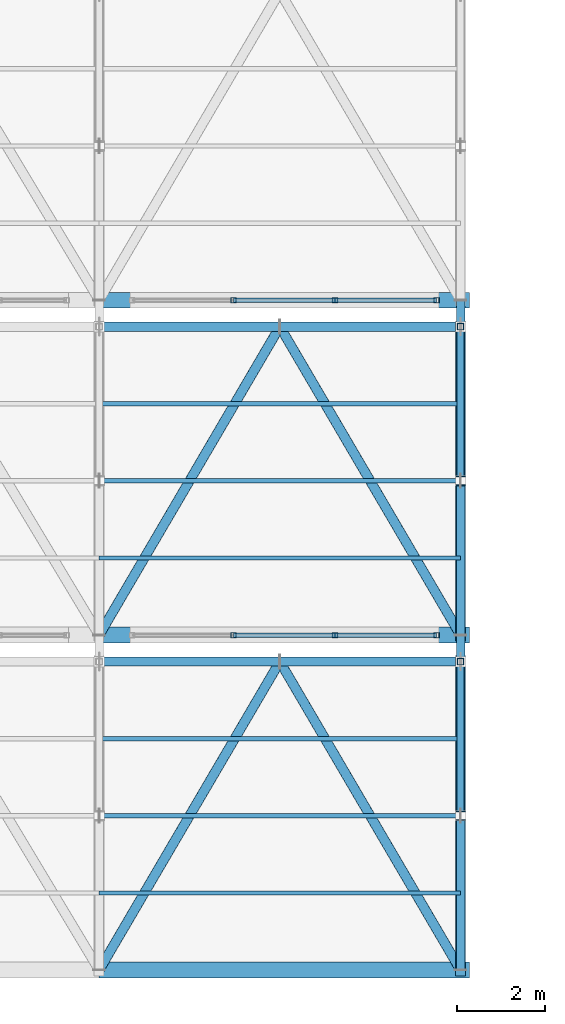
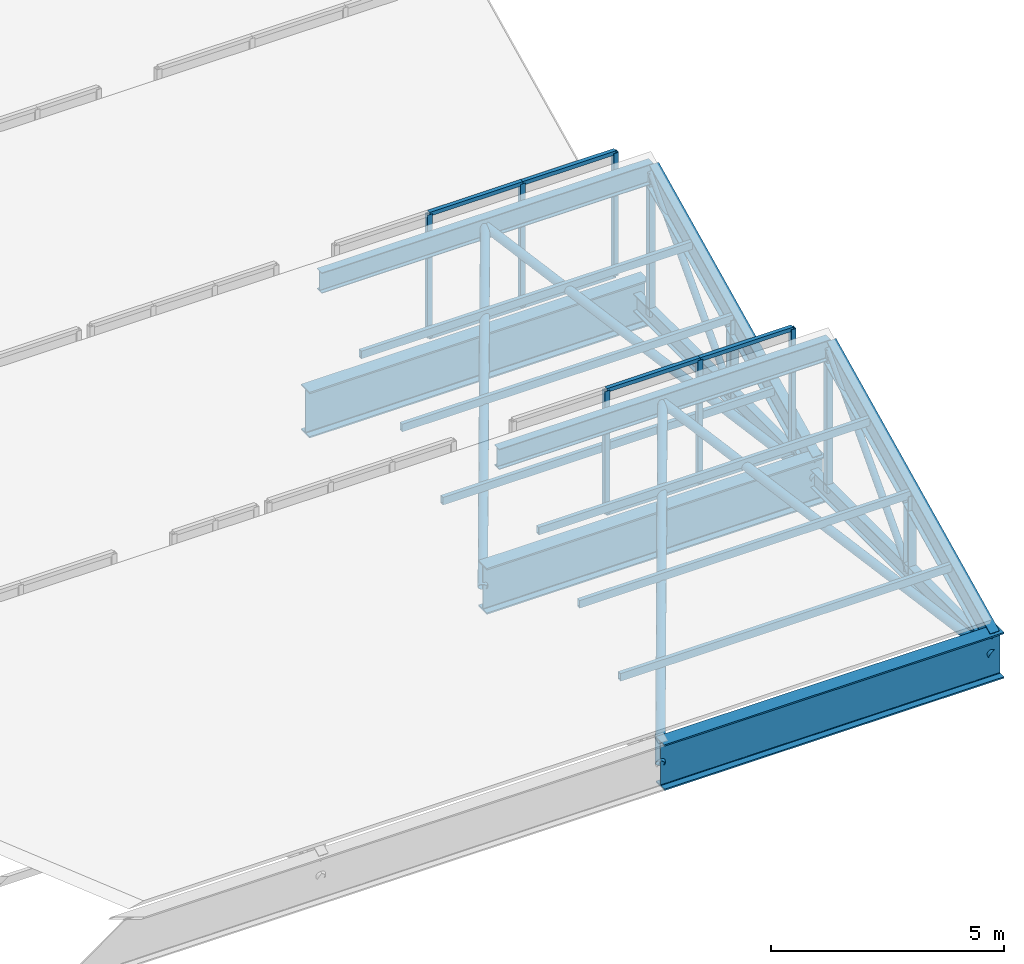
# One storey, part 27 of 57: 36 members, 3 beams, 2 elements without a shape of their own.
"""IFC4 building model written with IfcOpenShell, lengths in metres."""

from ifc_helpers import new_model, si_unit, direction, frame, origin, origin_2d, place, context, subcontext, project, spatial, hollow_rectangle, hollow_circle, i_section, extrude, material, material_profile, profile_set, type_object, element, aggregate, save


model = new_model("IFC4")

# Units and contexts
model_context = context("Model", 3, precision=1e-05, world=origin(), true_north=direction((0.0, 1.0)))
body_context = subcontext(model_context, "Body", "Model", "MODEL_VIEW")
ifc_project = project(units=[si_unit("LENGTHUNIT", "METRE"), si_unit("AREAUNIT", "SQUARE_METRE"), si_unit("VOLUMEUNIT", "CUBIC_METRE"), si_unit("PLANEANGLEUNIT", "RADIAN"), si_unit("MASSUNIT", "GRAM", prefix="KILO")], contexts=[model_context])

# Site, building, storey
site_placement = place(None, origin())
site = spatial("IfcSite", under=ifc_project, at=site_placement, CompositionType="ELEMENT")
building_placement = place(site_placement, origin())
building = spatial("IfcBuilding", under=site, at=building_placement, Name="Zuvorla Pavilion Media Centre", CompositionType="ELEMENT")
storey_placement = place(building_placement, frame((0.0, 0.0, 18.0)))
storey = spatial("IfcBuildingStorey", under=building, at=storey_placement, Name="L04", CompositionType="ELEMENT", Elevation=18.0)

# Beams
ifc_material_1 = material(Name="Steel S355", Category="steel")
ifc_material_profile_1 = material_profile(ifc_material_1, i_section(OverallWidth=0.360107421875, OverallDepth=1.199951171875, WebThickness=0.02001953125, FlangeThickness=0.0380859375, FilletRadius=0.02392578125, at=origin_2d()), Name="PG 1200x360x38")
ifc_profile_set_1 = profile_set([ifc_material_profile_1], Name="Steel S355")
beam_type = type_object("IfcBeamType", Name="BM-PG1200", PredefinedType="BEAM", material=ifc_profile_set_1)
for number, where, z_axis, x_axis, name in (
    (1, (150.800048828125, 6.0, -0.887939453125), (1.0, 0.0, 0.0), (0.0, 1.0, 0.0), "L04 beam B01 1816"),
    (2, (150.800048828125, 13.60009765625, -0.887939453125), (1.0, 0.0, 0.0), (0.0, 1.0, 0.0), "L04 beam B01 1819"),
    (3, (150.800048828125, 21.199951171875, -0.887939453125), (1.0, 0.0, 0.0), (0.0, 1.0, 0.0), "L04 beam B01 1822"),
):
    element("IfcBeam", number, at=place(storey_placement, frame(where, z_axis=z_axis, x_axis=x_axis)), inside=storey, type_object=beam_type, Name=name, PredefinedType="BEAM", context=body_context, shape_type="SweptSolid", body=[
        extrude(i_section(OverallWidth=0.360107421875, OverallDepth=1.199951171875, WebThickness=0.02001953125, FlangeThickness=0.0380859375, FilletRadius=0.02392578125, at=origin_2d()), origin(), (0.0, 0.0, 1.0), 8.39990234375),
    ])

# Curtain wall, members
ifc_material_2 = material(Name="Unitised anodised aluminium and solar glass curtain wall", Category="aluminium")
curtain_wall_type = type_object("IfcCurtainWallType", Name="CW-SYS-92", PredefinedType="USERDEFINED", material=ifc_material_2)
curtain_wall_1_placement = place(storey_placement, origin())
curtain_wall_1 = element("IfcCurtainWall", 4, at=curtain_wall_1_placement, inside=storey, type_object=curtain_wall_type, Name="L04 curtain wall CW92 229", ObjectType="CURTAIN WALL", PredefinedType="USERDEFINED")
ifc_material_3 = material(Name="Anodised aluminium 6063-T6", Category="aluminium")
ifc_material_profile_2 = material_profile(ifc_material_3, hollow_rectangle(XDim=0.1201171875, YDim=0.1201171875, WallThickness=0.0048828125, at=origin_2d()), Name="ALU MULL 120x120")
ifc_profile_set_2 = profile_set([ifc_material_profile_2], Name="Anodised aluminium 6063-T6")
member_type_1 = type_object("IfcMemberType", Name="CW-MULL-120", PredefinedType="MULLION", material=ifc_profile_set_2)
member_1_placement = place(storey_placement, frame((153.84814453125, 13.60009765625, 0.0), z_axis=(0.0, 0.0, 1.0), x_axis=(1.0, 0.0, 0.0)))
member_1 = element("IfcMember", 5, at=member_1_placement, type_object=member_type_1, Name="CW92 mullion 2", PredefinedType="MULLION", context=body_context, shape_type="SweptSolid", body=[
    extrude(hollow_rectangle(XDim=0.1201171875, YDim=0.1201171875, WallThickness=0.0048828125, at=origin_2d()), origin(), (0.0, 0.0, 1.0), 3.219970703125),
])
member_2_placement = place(storey_placement, frame((156.15185546875, 13.60009765625, 0.0), z_axis=(0.0, 0.0, 1.0), x_axis=(1.0, 0.0, 0.0)))
member_2 = element("IfcMember", 6, at=member_2_placement, type_object=member_type_1, Name="CW92 mullion 3", PredefinedType="MULLION", context=body_context, shape_type="SweptSolid", body=[
    extrude(hollow_rectangle(XDim=0.1201171875, YDim=0.1201171875, WallThickness=0.0048828125, at=origin_2d()), origin(), (0.0, 0.0, 1.0), 3.219970703125),
])
member_3_placement = place(storey_placement, frame((158.455810546875, 13.60009765625, 0.0), z_axis=(0.0, 0.0, 1.0), x_axis=(1.0, 0.0, 0.0)))
member_3 = element("IfcMember", 7, at=member_3_placement, type_object=member_type_1, Name="CW92 mullion 4", PredefinedType="MULLION", context=body_context, shape_type="SweptSolid", body=[
    extrude(hollow_rectangle(XDim=0.1201171875, YDim=0.1201171875, WallThickness=0.0048828125, at=origin_2d()), origin(), (0.0, 0.0, 1.0), 3.219970703125),
])

curtain_wall_2_placement = place(storey_placement, origin())
curtain_wall_2 = element("IfcCurtainWall", 8, at=curtain_wall_2_placement, inside=storey, type_object=curtain_wall_type, Name="L04 curtain wall CW92 234", ObjectType="CURTAIN WALL", PredefinedType="USERDEFINED")
member_4_placement = place(storey_placement, frame((153.84814453125, 21.199951171875, 0.0), z_axis=(0.0, 0.0, 1.0), x_axis=(1.0, 0.0, 0.0)))
member_4 = element("IfcMember", 9, at=member_4_placement, type_object=member_type_1, Name="CW92 mullion 2", PredefinedType="MULLION", context=body_context, shape_type="SweptSolid", body=[
    extrude(hollow_rectangle(XDim=0.1201171875, YDim=0.1201171875, WallThickness=0.0048828125, at=origin_2d()), origin(), (0.0, 0.0, 1.0), 3.219970703125),
])
member_5_placement = place(storey_placement, frame((156.15185546875, 21.199951171875, 0.0), z_axis=(0.0, 0.0, 1.0), x_axis=(1.0, 0.0, 0.0)))
member_5 = element("IfcMember", 10, at=member_5_placement, type_object=member_type_1, Name="CW92 mullion 3", PredefinedType="MULLION", context=body_context, shape_type="SweptSolid", body=[
    extrude(hollow_rectangle(XDim=0.1201171875, YDim=0.1201171875, WallThickness=0.0048828125, at=origin_2d()), origin(), (0.0, 0.0, 1.0), 3.219970703125),
])
member_6_placement = place(storey_placement, frame((158.455810546875, 21.199951171875, 0.0), z_axis=(0.0, 0.0, 1.0), x_axis=(1.0, 0.0, 0.0)))
member_6 = element("IfcMember", 11, at=member_6_placement, type_object=member_type_1, Name="CW92 mullion 4", PredefinedType="MULLION", context=body_context, shape_type="SweptSolid", body=[
    extrude(hollow_rectangle(XDim=0.1201171875, YDim=0.1201171875, WallThickness=0.0048828125, at=origin_2d()), origin(), (0.0, 0.0, 1.0), 3.219970703125),
])

# Member
ifc_material_profile_3 = material_profile(ifc_material_3, hollow_rectangle(XDim=0.10009765625, YDim=0.10009765625, WallThickness=0.00439453125, at=origin_2d()), Name="ALU TRAN 100x100")
ifc_profile_set_3 = profile_set([ifc_material_profile_3], Name="Anodised aluminium 6063-T6")
member_type_2 = type_object("IfcMemberType", Name="CW-TRAN-100", PredefinedType="USERDEFINED", material=ifc_profile_set_3)
member_7_placement = place(storey_placement, frame((153.84814453125, 13.60009765625, 0.0), z_axis=(1.0, 0.0, 0.0), x_axis=(0.0, 1.0, 0.0)))
member_7 = element("IfcMember", 12, at=member_7_placement, type_object=member_type_2, Name="CW92 transom 2.1", ObjectType="TRANSOM", PredefinedType="USERDEFINED", context=body_context, shape_type="SweptSolid", body=[
    extrude(hollow_rectangle(XDim=0.10009765625, YDim=0.10009765625, WallThickness=0.00439453125, at=origin_2d()), origin(), (0.0, 0.0, 1.0), 2.3037109375),
])

member_8_placement = place(storey_placement, frame((153.84814453125, 13.60009765625, 3.219970703125), z_axis=(1.0, 0.0, 0.0), x_axis=(0.0, 1.0, 0.0)))
member_8 = element("IfcMember", 13, at=member_8_placement, type_object=member_type_2, Name="CW92 transom 2.2", ObjectType="TRANSOM", PredefinedType="USERDEFINED", context=body_context, shape_type="SweptSolid", body=[
    extrude(hollow_rectangle(XDim=0.10009765625, YDim=0.10009765625, WallThickness=0.00439453125, at=origin_2d()), origin(), (0.0, 0.0, 1.0), 2.3037109375),
])

member_9_placement = place(storey_placement, frame((156.15185546875, 13.60009765625, 0.0), z_axis=(1.0, 0.0, 0.0), x_axis=(0.0, 1.0, 0.0)))
member_9 = element("IfcMember", 14, at=member_9_placement, type_object=member_type_2, Name="CW92 transom 3.1", ObjectType="TRANSOM", PredefinedType="USERDEFINED", context=body_context, shape_type="SweptSolid", body=[
    extrude(hollow_rectangle(XDim=0.10009765625, YDim=0.10009765625, WallThickness=0.00439453125, at=origin_2d()), origin(), (0.0, 0.0, 1.0), 2.303955078125),
])

member_10_placement = place(storey_placement, frame((156.15185546875, 13.60009765625, 3.219970703125), z_axis=(1.0, 0.0, 0.0), x_axis=(0.0, 1.0, 0.0)))
member_10 = element("IfcMember", 15, at=member_10_placement, type_object=member_type_2, Name="CW92 transom 3.2", ObjectType="TRANSOM", PredefinedType="USERDEFINED", context=body_context, shape_type="SweptSolid", body=[
    extrude(hollow_rectangle(XDim=0.10009765625, YDim=0.10009765625, WallThickness=0.00439453125, at=origin_2d()), origin(), (0.0, 0.0, 1.0), 2.303955078125),
])

aggregate(curtain_wall_1, [member_1, member_2, member_3, member_7, member_8, member_9, member_10])

member_11_placement = place(storey_placement, frame((153.84814453125, 21.199951171875, 0.0), z_axis=(1.0, 0.0, 0.0), x_axis=(0.0, 1.0, 0.0)))
member_11 = element("IfcMember", 16, at=member_11_placement, type_object=member_type_2, Name="CW92 transom 2.1", ObjectType="TRANSOM", PredefinedType="USERDEFINED", context=body_context, shape_type="SweptSolid", body=[
    extrude(hollow_rectangle(XDim=0.10009765625, YDim=0.10009765625, WallThickness=0.00439453125, at=origin_2d()), origin(), (0.0, 0.0, 1.0), 2.3037109375),
])

member_12_placement = place(storey_placement, frame((153.84814453125, 21.199951171875, 3.219970703125), z_axis=(1.0, 0.0, 0.0), x_axis=(0.0, 1.0, 0.0)))
member_12 = element("IfcMember", 17, at=member_12_placement, type_object=member_type_2, Name="CW92 transom 2.2", ObjectType="TRANSOM", PredefinedType="USERDEFINED", context=body_context, shape_type="SweptSolid", body=[
    extrude(hollow_rectangle(XDim=0.10009765625, YDim=0.10009765625, WallThickness=0.00439453125, at=origin_2d()), origin(), (0.0, 0.0, 1.0), 2.3037109375),
])

member_13_placement = place(storey_placement, frame((156.15185546875, 21.199951171875, 0.0), z_axis=(1.0, 0.0, 0.0), x_axis=(0.0, 1.0, 0.0)))
member_13 = element("IfcMember", 18, at=member_13_placement, type_object=member_type_2, Name="CW92 transom 3.1", ObjectType="TRANSOM", PredefinedType="USERDEFINED", context=body_context, shape_type="SweptSolid", body=[
    extrude(hollow_rectangle(XDim=0.10009765625, YDim=0.10009765625, WallThickness=0.00439453125, at=origin_2d()), origin(), (0.0, 0.0, 1.0), 2.303955078125),
])

member_14_placement = place(storey_placement, frame((156.15185546875, 21.199951171875, 3.219970703125), z_axis=(1.0, 0.0, 0.0), x_axis=(0.0, 1.0, 0.0)))
member_14 = element("IfcMember", 19, at=member_14_placement, type_object=member_type_2, Name="CW92 transom 3.2", ObjectType="TRANSOM", PredefinedType="USERDEFINED", context=body_context, shape_type="SweptSolid", body=[
    extrude(hollow_rectangle(XDim=0.10009765625, YDim=0.10009765625, WallThickness=0.00439453125, at=origin_2d()), origin(), (0.0, 0.0, 1.0), 2.303955078125),
])

aggregate(curtain_wall_2, [member_4, member_5, member_6, member_11, member_12, member_13, member_14])

# Members
ifc_material_profile_4 = material_profile(ifc_material_1, hollow_circle(Radius=0.084228515625, WallThickness=0.008056640625, at=origin_2d()), Name="CHS 168.3x8")
ifc_profile_set_4 = profile_set([ifc_material_profile_4], Name="Steel S355")
member_type_3 = type_object("IfcMemberType", Name="MEM-BRC-CHS168", PredefinedType="BRACE", material=ifc_profile_set_4)
for number, where, z_axis, x_axis, name in (
    (20, (159.0, 9.5, -0.8798828125), (0.0, 0.681156069412, 0.732138244529), (-1.0, 0.0, 0.0), "L04 diagonal brace TB03 526"),
    (21, (159.0, 17.10009765625, -0.8798828125), (0.0, 0.681156069412, 0.732138244529), (-1.0, 0.0, 0.0), "L04 diagonal brace TB03 586"),
):
    element("IfcMember", number, at=place(storey_placement, frame(where, z_axis=z_axis, x_axis=x_axis)), inside=storey, type_object=member_type_3, Name=name, PredefinedType="BRACE", context=body_context, shape_type="SweptSolid", body=[
        extrude(hollow_circle(Radius=0.084228515625, WallThickness=0.008056640625, at=origin_2d()), origin(), (0.0, 0.0, 1.0), 5.138427734375),
    ])
ifc_material_profile_5 = material_profile(ifc_material_1, hollow_circle(Radius=0.109619140625, WallThickness=0.010009765625, at=origin_2d()), Name="CHS 219.1x10")
ifc_profile_set_5 = profile_set([ifc_material_profile_5], Name="Steel S355")
member_type_4 = type_object("IfcMemberType", Name="MEM-BRC-CHS219", PredefinedType="BRACE", material=ifc_profile_set_5)
for number, where, z_axis, x_axis, name in (
    (22, (150.800048828125, 6.0, -0.8798828125), (0.458488859186, 0.782813825438, 0.420702365938), (-0.862891235801, 0.505389666671, 0.0), "L04 diagonal brace TB02 553"),
    (23, (154.89990234375, 13.0, 2.882080078125), (0.458510421872, -0.782804026194, -0.420697099596), (0.862878111278, 0.505412074526, 0.0), "L04 diagonal brace TB02 554"),
    (24, (150.800048828125, 13.60009765625, -0.8798828125), (0.458488859186, 0.782813825438, 0.420702365938), (-0.862891235801, 0.505389666671, 0.0), "L04 diagonal brace TB02 613"),
    (25, (154.89990234375, 20.60009765625, 2.882080078125), (0.458510421872, -0.782804026194, -0.420697099596), (0.862878111278, 0.505412074526, 0.0), "L04 diagonal brace TB02 614"),
):
    element("IfcMember", number, at=place(storey_placement, frame(where, z_axis=z_axis, x_axis=x_axis)), inside=storey, type_object=member_type_4, Name=name, PredefinedType="BRACE", context=body_context, shape_type="SweptSolid", body=[
        extrude(hollow_circle(Radius=0.109619140625, WallThickness=0.010009765625, at=origin_2d()), origin(), (0.0, 0.0, 1.0), 8.942138671875),
    ])
ifc_material_profile_6 = material_profile(ifc_material_1, i_section(OverallWidth=0.19140625, OverallDepth=0.4599609375, WebThickness=0.010009765625, FlangeThickness=0.01611328125, FilletRadius=0.01025390625, at=origin_2d()), Name="UB 457x191x82")
ifc_profile_set_6 = profile_set([ifc_material_profile_6], Name="Steel S355")
member_type_5 = type_object("IfcMemberType", Name="MEM-CHD-UB457", PredefinedType="CHORD", material=ifc_profile_set_6)
member_15_placement = place(storey_placement, frame((159.0, 6.0, -0.8798828125), z_axis=(0.0, 1.0, 0.0), x_axis=(-1.0, 0.0, 0.0)))
element("IfcMember", 26, at=member_15_placement, inside=storey, type_object=member_type_5, Name="L04 chord TC03 523", PredefinedType="CHORD", context=body_context, shape_type="SweptSolid", body=[
    extrude(i_section(OverallWidth=0.19140625, OverallDepth=0.4599609375, WebThickness=0.010009765625, FlangeThickness=0.01611328125, FilletRadius=0.01025390625, at=origin_2d()), origin(), (0.0, 0.0, 1.0), 7.60009765625),
])
member_16_placement = place(storey_placement, frame((159.0, 13.60009765625, -0.8798828125), z_axis=(0.0, 1.0, 0.0), x_axis=(-1.0, 0.0, 0.0)))
element("IfcMember", 27, at=member_16_placement, inside=storey, type_object=member_type_5, Name="L04 chord TC03 583", PredefinedType="CHORD", context=body_context, shape_type="SweptSolid", body=[
    extrude(i_section(OverallWidth=0.19140625, OverallDepth=0.4599609375, WebThickness=0.010009765625, FlangeThickness=0.01611328125, FilletRadius=0.01025390625, at=origin_2d()), origin(), (0.0, 0.0, 1.0), 7.599853515625),
])
ifc_material_profile_7 = material_profile(ifc_material_1, i_section(OverallWidth=0.2099609375, OverallDepth=0.53662109375, WebThickness=0.0107421875, FlangeThickness=0.017333984375, FilletRadius=0.0126953125, at=origin_2d()), Name="UB 533x210x101")
ifc_profile_set_7 = profile_set([ifc_material_profile_7], Name="Steel S355")
member_type_6 = type_object("IfcMemberType", Name="MEM-CHD-UB533", PredefinedType="CHORD", material=ifc_profile_set_7)
for number, where, z_axis, x_axis, name in (
    (28, (150.800048828125, 13.0, 2.882080078125), (1.0, 0.0, 0.0), (0.0, 1.0, 0.0), "L04 chord TC02 552"),
    (29, (150.800048828125, 20.60009765625, 2.882080078125), (1.0, 0.0, 0.0), (0.0, 1.0, 0.0), "L04 chord TC02 612"),
):
    element("IfcMember", number, at=place(storey_placement, frame(where, z_axis=z_axis, x_axis=x_axis)), inside=storey, type_object=member_type_6, Name=name, PredefinedType="CHORD", context=body_context, shape_type="SweptSolid", body=[
        extrude(i_section(OverallWidth=0.2099609375, OverallDepth=0.53662109375, WebThickness=0.0107421875, FlangeThickness=0.017333984375, FilletRadius=0.0126953125, at=origin_2d()), origin(), (0.0, 0.0, 1.0), 8.199951171875),
    ])
ifc_material_profile_8 = material_profile(ifc_material_1, i_section(OverallWidth=0.22900390625, OverallDepth=0.6123046875, WebThickness=0.011962890625, FlangeThickness=0.01953125, FilletRadius=0.0126953125, at=origin_2d()), Name="UB 610x229x125")
ifc_profile_set_8 = profile_set([ifc_material_profile_8], Name="Steel S355")
member_type_7 = type_object("IfcMemberType", Name="MEM-CHD-UB610", PredefinedType="CHORD", material=ifc_profile_set_8)
for number, where, z_axis, x_axis, name in (
    (30, (159.0, 6.0, -0.517822265625), (0.0, 0.899513090263, 0.436893809117), (-1.0, 0.0, 0.0), "L04 chord TC01 524"),
    (31, (159.0, 13.60009765625, -0.517822265625), (0.0, 0.899513090263, 0.436893809117), (-1.0, 0.0, 0.0), "L04 chord TC01 584"),
):
    element("IfcMember", number, at=place(storey_placement, frame(where, z_axis=z_axis, x_axis=x_axis)), inside=storey, type_object=member_type_7, Name=name, PredefinedType="CHORD", context=body_context, shape_type="SweptSolid", body=[
        extrude(i_section(OverallWidth=0.22900390625, OverallDepth=0.6123046875, WebThickness=0.011962890625, FlangeThickness=0.01953125, FilletRadius=0.0126953125, at=origin_2d()), origin(), (0.0, 0.0, 1.0), 7.781982421875),
    ])
ifc_material_profile_9 = material_profile(ifc_material_1, hollow_rectangle(XDim=0.10009765625, YDim=0.199951171875, WallThickness=0.008056640625, at=origin_2d()), Name="RHS 200x100x8")
ifc_profile_set_9 = profile_set([ifc_material_profile_9], Name="Steel S355")
member_type_8 = type_object("IfcMemberType", Name="MEM-PUR-RHS200", PredefinedType="PURLIN", material=ifc_profile_set_9)
for number, where, z_axis, x_axis, name in (
    (32, (150.800048828125, 7.75, 0.33203125), (1.0, 0.0, 0.0), (0.0, 1.0, 0.0), "L04 purlin PR01 555"),
    (33, (150.800048828125, 9.5, 1.18212890625), (1.0, 0.0, 0.0), (0.0, 1.0, 0.0), "L04 purlin PR01 556"),
    (34, (150.800048828125, 11.25, 2.031982421875), (1.0, 0.0, 0.0), (0.0, 1.0, 0.0), "L04 purlin PR01 557"),
    (35, (150.800048828125, 15.35009765625, 0.33203125), (1.0, 0.0, 0.0), (0.0, 1.0, 0.0), "L04 purlin PR01 615"),
    (36, (150.800048828125, 17.10009765625, 1.18212890625), (1.0, 0.0, 0.0), (0.0, 1.0, 0.0), "L04 purlin PR01 616"),
    (37, (150.800048828125, 18.85009765625, 2.031982421875), (1.0, 0.0, 0.0), (0.0, 1.0, 0.0), "L04 purlin PR01 617"),
):
    element("IfcMember", number, at=place(storey_placement, frame(where, z_axis=z_axis, x_axis=x_axis)), inside=storey, type_object=member_type_8, Name=name, PredefinedType="PURLIN", context=body_context, shape_type="SweptSolid", body=[
        extrude(hollow_rectangle(XDim=0.10009765625, YDim=0.199951171875, WallThickness=0.008056640625, at=origin_2d()), origin(), (0.0, 0.0, 1.0), 8.199951171875),
    ])
ifc_material_profile_10 = material_profile(ifc_material_1, hollow_rectangle(XDim=0.14990234375, YDim=0.14990234375, WallThickness=0.008056640625, at=origin_2d()), Name="SHS 150x150x8")
ifc_profile_set_10 = profile_set([ifc_material_profile_10], Name="Steel S355")
member_type_9 = type_object("IfcMemberType", Name="MEM-STR-SHS150", PredefinedType="STRUT", material=ifc_profile_set_10)
for number, where, z_axis, x_axis, name in (
    (38, (159.0, 13.0, -0.8798828125), (0.0, 0.0, 1.0), (1.0, 0.0, 0.0), "L04 vertical strut TS01 525"),
    (39, (159.0, 20.60009765625, -0.8798828125), (0.0, 0.0, 1.0), (1.0, 0.0, 0.0), "L04 vertical strut TS01 585"),
):
    element("IfcMember", number, at=place(storey_placement, frame(where, z_axis=z_axis, x_axis=x_axis)), inside=storey, type_object=member_type_9, Name=name, PredefinedType="STRUT", context=body_context, shape_type="SweptSolid", body=[
        extrude(hollow_rectangle(XDim=0.14990234375, YDim=0.14990234375, WallThickness=0.008056640625, at=origin_2d()), origin(), (0.0, 0.0, 1.0), 3.761962890625),
    ])
ifc_material_profile_11 = material_profile(ifc_material_1, i_section(OverallWidth=0.205810546875, OverallDepth=0.209716796875, WebThickness=0.009521484375, FlangeThickness=0.01416015625, FilletRadius=0.01025390625, at=origin_2d()), Name="UC 203x203x60")
ifc_profile_set_11 = profile_set([ifc_material_profile_11], Name="Steel S355")
member_type_10 = type_object("IfcMemberType", Name="MEM-STR-UC203", PredefinedType="STRUT", material=ifc_profile_set_11)
for number, where, z_axis, x_axis, name in (
    (40, (159.0, 9.5, -0.8798828125), (0.0, 0.0, 1.0), (1.0, 0.0, 0.0), "L04 vertical strut TS02 527"),
    (41, (159.0, 17.10009765625, -0.8798828125), (0.0, 0.0, 1.0), (1.0, 0.0, 0.0), "L04 vertical strut TS02 587"),
):
    element("IfcMember", number, at=place(storey_placement, frame(where, z_axis=z_axis, x_axis=x_axis)), inside=storey, type_object=member_type_10, Name=name, PredefinedType="STRUT", context=body_context, shape_type="SweptSolid", body=[
        extrude(i_section(OverallWidth=0.205810546875, OverallDepth=0.209716796875, WebThickness=0.009521484375, FlangeThickness=0.01416015625, FilletRadius=0.01025390625, at=origin_2d()), origin(), (0.0, 0.0, 1.0), 2.06201171875),
    ])

save(model, "model.ifc")
